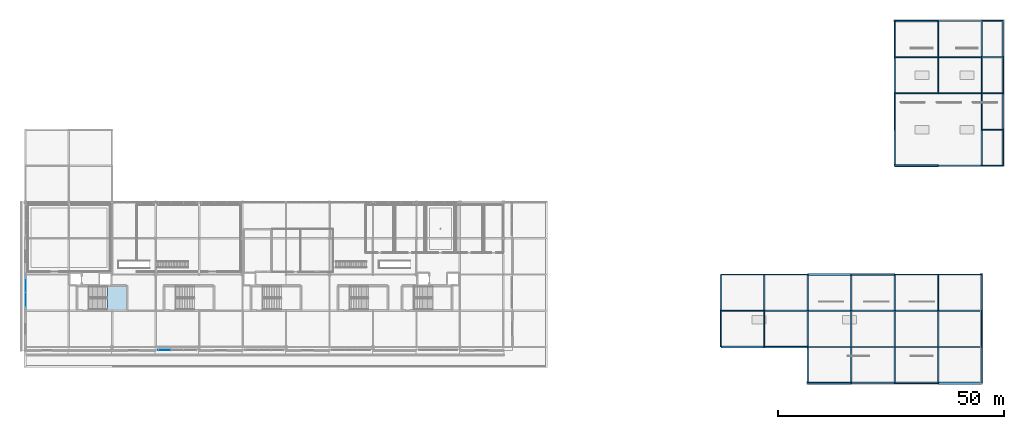
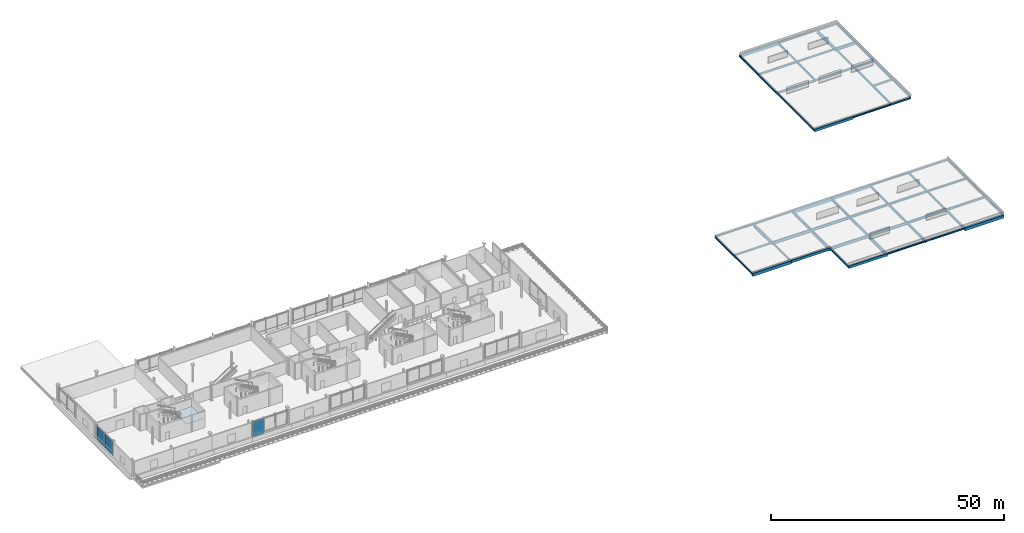
# One storey, part 20 of 36: 68 beams, 3 plates, 1 slab, 3 elements without a shape of their own.
"""IFC4 building model written with IfcOpenShell, lengths in metres."""

from ifc_helpers import new_model, si_unit, direction, frame, origin, origin_2d, place, context, subcontext, project, spatial, polyline, rectangle, i_section, outline, extrude, material, layer, layer_set, material_profile, profile_set, type_object, element, aggregate, save


model = new_model("IFC4")

# Units and contexts
model_context = context("Model", 3, precision=1e-05, world=origin(), true_north=direction((0.0, 1.0)))
body_context = subcontext(model_context, "Body", "Model", "MODEL_VIEW")
ifc_project = project(units=[si_unit("LENGTHUNIT", "METRE"), si_unit("AREAUNIT", "SQUARE_METRE"), si_unit("VOLUMEUNIT", "CUBIC_METRE"), si_unit("PLANEANGLEUNIT", "RADIAN"), si_unit("MASSUNIT", "GRAM", prefix="KILO")], contexts=[model_context])

# Site, building, storey
site_placement = place(None, origin())
site = spatial("IfcSite", under=ifc_project, at=site_placement, CompositionType="ELEMENT")
building_placement = place(site_placement, origin())
building = spatial("IfcBuilding", under=site, at=building_placement, Name="Danafjord Basin Convention Centre", CompositionType="ELEMENT")
storey_placement = place(building_placement, frame((0.0, 0.0, 20.39990234375)))
storey = spatial("IfcBuildingStorey", under=building, at=storey_placement, Name="L04", CompositionType="ELEMENT", Elevation=20.39990234375)

# Beams
ifc_material_1 = material(Name="Steel S355", Category="steel")
ifc_material_profile_1 = material_profile(ifc_material_1, i_section(OverallWidth=0.300048828125, OverallDepth=0.5, WebThickness=0.014404296875, FlangeThickness=0.028076171875, FilletRadius=0.027099609375, at=origin_2d()), Name="HEB 500")
ifc_profile_set_1 = profile_set([ifc_material_profile_1], Name="Steel S355")
beam_type_1 = type_object("IfcBeamType", Name="BEAM-BM-HEB500", PredefinedType="BEAM", material=ifc_profile_set_1)
beam_1_placement = place(storey_placement, frame((201.60009765625, 16.0, -0.914794921875), z_axis=(1.0, 0.0, 0.0), x_axis=(0.0, 1.0, 0.0)))
element("IfcBeam", 1, at=beam_1_placement, inside=storey, type_object=beam_type_1, Name="L04 girder BM-HEB500", PredefinedType="BEAM", context=body_context, shape_type="SweptSolid", body=[
    extrude(i_section(OverallWidth=0.300048828125, OverallDepth=0.5, WebThickness=0.014404296875, FlangeThickness=0.028076171875, FilletRadius=0.027099609375, at=origin_2d()), origin(), (0.0, 0.0, 1.0), 9.599853515625),
])
for number, where, z_axis, x_axis, name in (
    (2, (192.0, 16.0, -0.914794921875), (0.0, 1.0, 0.0), (-1.0, 0.0, 0.0), "L04 transverse girder BM-HEB500"),
    (3, (201.60009765625, 8.0, -0.914794921875), (0.0, 1.0, 0.0), (-1.0, 0.0, 0.0), "L04 transverse girder BM-HEB500"),
    (4, (211.199951171875, 48.0, -0.914794921875), (0.0, 1.0, 0.0), (-1.0, 0.0, 0.0), "L04 transverse girder BM-HEB500"),
):
    element("IfcBeam", number, at=place(storey_placement, frame(where, z_axis=z_axis, x_axis=x_axis)), inside=storey, type_object=beam_type_1, Name=name, PredefinedType="BEAM", context=body_context, shape_type="SweptSolid", body=[
        extrude(i_section(OverallWidth=0.300048828125, OverallDepth=0.5, WebThickness=0.014404296875, FlangeThickness=0.028076171875, FilletRadius=0.027099609375, at=origin_2d()), origin(), (0.0, 0.0, 1.0), 8.0),
    ])
ifc_material_profile_2 = material_profile(ifc_material_1, i_section(OverallWidth=0.300048828125, OverallDepth=0.550048828125, WebThickness=0.014892578125, FlangeThickness=0.029052734375, FilletRadius=0.027099609375, at=origin_2d()), Name="HEB 550")
ifc_profile_set_2 = profile_set([ifc_material_profile_2], Name="Steel S355")
beam_type_2 = type_object("IfcBeamType", Name="BEAM-BM-HEB550", PredefinedType="BEAM", material=ifc_profile_set_2)
beam_2_placement = place(storey_placement, frame((192.0, 16.0, -0.93994140625), z_axis=(1.0, 0.0, 0.0), x_axis=(0.0, 1.0, 0.0)))
element("IfcBeam", 5, at=beam_2_placement, inside=storey, type_object=beam_type_2, Name="L04 girder BM-HEB550", PredefinedType="BEAM", context=body_context, shape_type="SweptSolid", body=[
    extrude(i_section(OverallWidth=0.300048828125, OverallDepth=0.550048828125, WebThickness=0.014892578125, FlangeThickness=0.029052734375, FilletRadius=0.027099609375, at=origin_2d()), origin(), (0.0, 0.0, 1.0), 9.60009765625),
])
beam_3_placement = place(storey_placement, frame((201.60009765625, 8.0, -0.93994140625), z_axis=(1.0, 0.0, 0.0), x_axis=(0.0, 1.0, 0.0)))
element("IfcBeam", 6, at=beam_3_placement, inside=storey, type_object=beam_type_2, Name="L04 girder BM-HEB550", PredefinedType="BEAM", context=body_context, shape_type="SweptSolid", body=[
    extrude(i_section(OverallWidth=0.300048828125, OverallDepth=0.550048828125, WebThickness=0.014892578125, FlangeThickness=0.029052734375, FilletRadius=0.027099609375, at=origin_2d()), origin(), (0.0, 0.0, 1.0), 9.599853515625),
])
ifc_material_profile_3 = material_profile(ifc_material_1, i_section(OverallWidth=0.300048828125, OverallDepth=0.60009765625, WebThickness=0.015380859375, FlangeThickness=0.030029296875, FilletRadius=0.027099609375, at=origin_2d()), Name="HEB 600")
ifc_profile_set_3 = profile_set([ifc_material_profile_3], Name="Steel S355")
beam_type_3 = type_object("IfcBeamType", Name="BEAM-BM-HEB600", PredefinedType="BEAM", material=ifc_profile_set_3)
for number, where, z_axis, x_axis, name in (
    (7, (182.39990234375, 16.0, -0.96484375), (1.0, 0.0, 0.0), (0.0, 1.0, 0.0), "L04 girder BM-HEB600"),
    (8, (192.0, 8.0, -0.96484375), (1.0, 0.0, 0.0), (0.0, 1.0, 0.0), "L04 girder BM-HEB600"),
):
    element("IfcBeam", number, at=place(storey_placement, frame(where, z_axis=z_axis, x_axis=x_axis)), inside=storey, type_object=beam_type_3, Name=name, PredefinedType="BEAM", context=body_context, shape_type="SweptSolid", body=[
        extrude(i_section(OverallWidth=0.300048828125, OverallDepth=0.60009765625, WebThickness=0.015380859375, FlangeThickness=0.030029296875, FilletRadius=0.027099609375, at=origin_2d()), origin(), (0.0, 0.0, 1.0), 9.60009765625),
    ])
for number, where, z_axis, x_axis, name in (
    (9, (182.39990234375, 16.0, -0.96484375), (0.0, 1.0, 0.0), (-1.0, 0.0, 0.0), "L04 transverse girder BM-HEB600"),
    (10, (192.0, 8.0, -0.96484375), (0.0, 1.0, 0.0), (-1.0, 0.0, 0.0), "L04 transverse girder BM-HEB600"),
    (11, (201.60009765625, 0.0, -0.96484375), (0.0, 1.0, 0.0), (-1.0, 0.0, 0.0), "L04 transverse girder BM-HEB600"),
):
    element("IfcBeam", number, at=place(storey_placement, frame(where, z_axis=z_axis, x_axis=x_axis)), inside=storey, type_object=beam_type_3, Name=name, PredefinedType="BEAM", context=body_context, shape_type="SweptSolid", body=[
        extrude(i_section(OverallWidth=0.300048828125, OverallDepth=0.60009765625, WebThickness=0.015380859375, FlangeThickness=0.030029296875, FilletRadius=0.027099609375, at=origin_2d()), origin(), (0.0, 0.0, 1.0), 8.0),
    ])
ifc_material_profile_4 = material_profile(ifc_material_1, i_section(OverallWidth=0.300048828125, OverallDepth=0.699951171875, WebThickness=0.01708984375, FlangeThickness=0.031982421875, FilletRadius=0.027099609375, at=origin_2d()), Name="HEB 700")
ifc_profile_set_4 = profile_set([ifc_material_profile_4], Name="Steel S355")
beam_type_4 = type_object("IfcBeamType", Name="BEAM-BM-HEB700", PredefinedType="BEAM", material=ifc_profile_set_4)
beam_4_placement = place(storey_placement, frame((172.800048828125, 16.0, -1.014892578125), z_axis=(1.0, 0.0, 0.0), x_axis=(0.0, 1.0, 0.0)))
element("IfcBeam", 12, at=beam_4_placement, inside=storey, type_object=beam_type_4, Name="L04 girder BM-HEB700", PredefinedType="BEAM", context=body_context, shape_type="SweptSolid", body=[
    extrude(i_section(OverallWidth=0.300048828125, OverallDepth=0.699951171875, WebThickness=0.01708984375, FlangeThickness=0.031982421875, FilletRadius=0.027099609375, at=origin_2d()), origin(), (0.0, 0.0, 1.0), 9.599853515625),
])
beam_5_placement = place(storey_placement, frame((182.39990234375, 8.0, -1.014892578125), z_axis=(1.0, 0.0, 0.0), x_axis=(0.0, 1.0, 0.0)))
element("IfcBeam", 13, at=beam_5_placement, inside=storey, type_object=beam_type_4, Name="L04 girder BM-HEB700", PredefinedType="BEAM", context=body_context, shape_type="SweptSolid", body=[
    extrude(i_section(OverallWidth=0.300048828125, OverallDepth=0.699951171875, WebThickness=0.01708984375, FlangeThickness=0.031982421875, FilletRadius=0.027099609375, at=origin_2d()), origin(), (0.0, 0.0, 1.0), 9.60009765625),
])
for number, where, z_axis, x_axis, name in (
    (14, (172.800048828125, 16.0, -1.014892578125), (0.0, 1.0, 0.0), (-1.0, 0.0, 0.0), "L04 transverse girder BM-HEB700"),
    (15, (182.39990234375, 8.0, -1.014892578125), (0.0, 1.0, 0.0), (-1.0, 0.0, 0.0), "L04 transverse girder BM-HEB700"),
    (16, (192.0, 0.0, -1.014892578125), (0.0, 1.0, 0.0), (-1.0, 0.0, 0.0), "L04 transverse girder BM-HEB700"),
):
    element("IfcBeam", number, at=place(storey_placement, frame(where, z_axis=z_axis, x_axis=x_axis)), inside=storey, type_object=beam_type_4, Name=name, PredefinedType="BEAM", context=body_context, shape_type="SweptSolid", body=[
        extrude(i_section(OverallWidth=0.300048828125, OverallDepth=0.699951171875, WebThickness=0.01708984375, FlangeThickness=0.031982421875, FilletRadius=0.027099609375, at=origin_2d()), origin(), (0.0, 0.0, 1.0), 8.0),
    ])
ifc_material_profile_5 = material_profile(ifc_material_1, i_section(OverallWidth=0.300048828125, OverallDepth=0.800048828125, WebThickness=0.017578125, FlangeThickness=0.032958984375, FilletRadius=0.030029296875, at=origin_2d()), Name="HEB 800")
ifc_profile_set_5 = profile_set([ifc_material_profile_5], Name="Steel S355")
beam_type_5 = type_object("IfcBeamType", Name="BEAM-BM-HEB800", PredefinedType="BEAM", material=ifc_profile_set_5)
beam_6_placement = place(storey_placement, frame((163.199951171875, 16.0, -1.06494140625), z_axis=(1.0, 0.0, 0.0), x_axis=(0.0, 1.0, 0.0)))
element("IfcBeam", 17, at=beam_6_placement, inside=storey, type_object=beam_type_5, Name="L04 girder BM-HEB800", PredefinedType="BEAM", context=body_context, shape_type="SweptSolid", body=[
    extrude(i_section(OverallWidth=0.300048828125, OverallDepth=0.800048828125, WebThickness=0.017578125, FlangeThickness=0.032958984375, FilletRadius=0.030029296875, at=origin_2d()), origin(), (0.0, 0.0, 1.0), 9.60009765625),
])
beam_7_placement = place(storey_placement, frame((172.800048828125, 8.0, -1.06494140625), z_axis=(1.0, 0.0, 0.0), x_axis=(0.0, 1.0, 0.0)))
element("IfcBeam", 18, at=beam_7_placement, inside=storey, type_object=beam_type_5, Name="L04 girder BM-HEB800", PredefinedType="BEAM", context=body_context, shape_type="SweptSolid", body=[
    extrude(i_section(OverallWidth=0.300048828125, OverallDepth=0.800048828125, WebThickness=0.017578125, FlangeThickness=0.032958984375, FilletRadius=0.030029296875, at=origin_2d()), origin(), (0.0, 0.0, 1.0), 9.599853515625),
])
beam_8_placement = place(storey_placement, frame((211.199951171875, 72.0, -1.06494140625), z_axis=(1.0, 0.0, 0.0), x_axis=(0.0, 1.0, 0.0)))
element("IfcBeam", 19, at=beam_8_placement, inside=storey, type_object=beam_type_5, Name="L04 girder BM-HEB800", PredefinedType="BEAM", context=body_context, shape_type="SweptSolid", body=[
    extrude(i_section(OverallWidth=0.300048828125, OverallDepth=0.800048828125, WebThickness=0.017578125, FlangeThickness=0.032958984375, FilletRadius=0.030029296875, at=origin_2d()), origin(), (0.0, 0.0, 1.0), 4.800048828125),
])
ifc_material_profile_6 = material_profile(ifc_material_1, i_section(OverallWidth=0.300048828125, OverallDepth=0.89990234375, WebThickness=0.0185546875, FlangeThickness=0.034912109375, FilletRadius=0.030029296875, at=origin_2d()), Name="HEB 900")
ifc_profile_set_6 = profile_set([ifc_material_profile_6], Name="Steel S355")
beam_type_6 = type_object("IfcBeamType", Name="BEAM-BM-HEB900", PredefinedType="BEAM", material=ifc_profile_set_6)
for number, where, z_axis, x_axis, name in (
    (20, (163.199951171875, 16.0, -1.114990234375), (0.0, 1.0, 0.0), (-1.0, 0.0, 0.0), "L04 transverse girder BM-HEB900"),
    (21, (172.800048828125, 8.0, -1.114990234375), (0.0, 1.0, 0.0), (-1.0, 0.0, 0.0), "L04 transverse girder BM-HEB900"),
    (22, (182.39990234375, 0.0, -1.114990234375), (0.0, 1.0, 0.0), (-1.0, 0.0, 0.0), "L04 transverse girder BM-HEB900"),
    (23, (211.199951171875, 72.0, -1.114990234375), (0.0, 1.0, 0.0), (-1.0, 0.0, 0.0), "L04 transverse girder BM-HEB900"),
):
    element("IfcBeam", number, at=place(storey_placement, frame(where, z_axis=z_axis, x_axis=x_axis)), inside=storey, type_object=beam_type_6, Name=name, PredefinedType="BEAM", context=body_context, shape_type="SweptSolid", body=[
        extrude(i_section(OverallWidth=0.300048828125, OverallDepth=0.89990234375, WebThickness=0.0185546875, FlangeThickness=0.034912109375, FilletRadius=0.030029296875, at=origin_2d()), origin(), (0.0, 0.0, 1.0), 8.0),
    ])
ifc_material_profile_7 = material_profile(ifc_material_1, i_section(OverallWidth=0.199951171875, OverallDepth=0.5, WebThickness=0.01025390625, FlangeThickness=0.01611328125, FilletRadius=0.02099609375, at=origin_2d()), Name="IPE 500")
ifc_profile_set_7 = profile_set([ifc_material_profile_7], Name="Steel S355")
beam_type_7 = type_object("IfcBeamType", Name="BEAM-BM-IPE500", PredefinedType="BEAM", material=ifc_profile_set_7)
for number, where, z_axis, x_axis, name in (
    (24, (153.60009765625, 16.0, -0.914794921875), (1.0, 0.0, 0.0), (0.0, 1.0, 0.0), "L04 girder BM-IPE500"),
    (25, (201.60009765625, 72.0, -0.914794921875), (1.0, 0.0, 0.0), (0.0, 1.0, 0.0), "L04 girder BM-IPE500"),
):
    element("IfcBeam", number, at=place(storey_placement, frame(where, z_axis=z_axis, x_axis=x_axis)), inside=storey, type_object=beam_type_7, Name=name, PredefinedType="BEAM", context=body_context, shape_type="SweptSolid", body=[
        extrude(i_section(OverallWidth=0.199951171875, OverallDepth=0.5, WebThickness=0.01025390625, FlangeThickness=0.01611328125, FilletRadius=0.02099609375, at=origin_2d()), origin(), (0.0, 0.0, 1.0), 9.599853515625),
    ])
beam_9_placement = place(storey_placement, frame((211.199951171875, 64.0, -0.914794921875), z_axis=(1.0, 0.0, 0.0), x_axis=(0.0, 1.0, 0.0)))
element("IfcBeam", 26, at=beam_9_placement, inside=storey, type_object=beam_type_7, Name="L04 girder BM-IPE500", PredefinedType="BEAM", context=body_context, shape_type="SweptSolid", body=[
    extrude(i_section(OverallWidth=0.199951171875, OverallDepth=0.5, WebThickness=0.01025390625, FlangeThickness=0.01611328125, FilletRadius=0.02099609375, at=origin_2d()), origin(), (0.0, 0.0, 1.0), 4.800048828125),
])
ifc_material_profile_8 = material_profile(ifc_material_1, i_section(OverallWidth=0.2099609375, OverallDepth=0.550048828125, WebThickness=0.010986328125, FlangeThickness=0.01708984375, FilletRadius=0.02392578125, at=origin_2d()), Name="IPE 550")
ifc_profile_set_8 = profile_set([ifc_material_profile_8], Name="Steel S355")
beam_type_8 = type_object("IfcBeamType", Name="BEAM-BM-IPE550", PredefinedType="BEAM", material=ifc_profile_set_8)
beam_10_placement = place(storey_placement, frame((192.0, 72.0, -0.93994140625), z_axis=(1.0, 0.0, 0.0), x_axis=(0.0, 1.0, 0.0)))
element("IfcBeam", 27, at=beam_10_placement, inside=storey, type_object=beam_type_8, Name="L04 girder BM-IPE550", PredefinedType="BEAM", context=body_context, shape_type="SweptSolid", body=[
    extrude(i_section(OverallWidth=0.2099609375, OverallDepth=0.550048828125, WebThickness=0.010986328125, FlangeThickness=0.01708984375, FilletRadius=0.02392578125, at=origin_2d()), origin(), (0.0, 0.0, 1.0), 9.60009765625),
])
beam_11_placement = place(storey_placement, frame((201.60009765625, 64.0, -0.93994140625), z_axis=(1.0, 0.0, 0.0), x_axis=(0.0, 1.0, 0.0)))
element("IfcBeam", 28, at=beam_11_placement, inside=storey, type_object=beam_type_8, Name="L04 girder BM-IPE550", PredefinedType="BEAM", context=body_context, shape_type="SweptSolid", body=[
    extrude(i_section(OverallWidth=0.2099609375, OverallDepth=0.550048828125, WebThickness=0.010986328125, FlangeThickness=0.01708984375, FilletRadius=0.02392578125, at=origin_2d()), origin(), (0.0, 0.0, 1.0), 9.599853515625),
])
beam_12_placement = place(storey_placement, frame((211.199951171875, 56.0, -0.93994140625), z_axis=(1.0, 0.0, 0.0), x_axis=(0.0, 1.0, 0.0)))
element("IfcBeam", 29, at=beam_12_placement, inside=storey, type_object=beam_type_8, Name="L04 girder BM-IPE550", PredefinedType="BEAM", context=body_context, shape_type="SweptSolid", body=[
    extrude(i_section(OverallWidth=0.2099609375, OverallDepth=0.550048828125, WebThickness=0.010986328125, FlangeThickness=0.01708984375, FilletRadius=0.02392578125, at=origin_2d()), origin(), (0.0, 0.0, 1.0), 4.800048828125),
])
for number, where, z_axis, x_axis, name in (
    (30, (163.199951171875, 8.0, -0.93994140625), (0.0, 1.0, 0.0), (-1.0, 0.0, 0.0), "L04 transverse girder BM-IPE550"),
    (31, (201.60009765625, 72.0, -0.93994140625), (0.0, 1.0, 0.0), (-1.0, 0.0, 0.0), "L04 transverse girder BM-IPE550"),
    (32, (211.199951171875, 64.0, -0.93994140625), (0.0, 1.0, 0.0), (-1.0, 0.0, 0.0), "L04 transverse girder BM-IPE550"),
):
    element("IfcBeam", number, at=place(storey_placement, frame(where, z_axis=z_axis, x_axis=x_axis)), inside=storey, type_object=beam_type_8, Name=name, PredefinedType="BEAM", context=body_context, shape_type="SweptSolid", body=[
        extrude(i_section(OverallWidth=0.2099609375, OverallDepth=0.550048828125, WebThickness=0.010986328125, FlangeThickness=0.01708984375, FilletRadius=0.02392578125, at=origin_2d()), origin(), (0.0, 0.0, 1.0), 8.0),
    ])
ifc_material_profile_9 = material_profile(ifc_material_1, i_section(OverallWidth=0.219970703125, OverallDepth=0.60009765625, WebThickness=0.011962890625, FlangeThickness=0.01904296875, FilletRadius=0.02392578125, at=origin_2d()), Name="IPE 600")
ifc_profile_set_9 = profile_set([ifc_material_profile_9], Name="Steel S355")
beam_type_9 = type_object("IfcBeamType", Name="BEAM-BM-IPE600", PredefinedType="BEAM", material=ifc_profile_set_9)
beam_13_placement = place(storey_placement, frame((192.0, 64.0, -0.96484375), z_axis=(1.0, 0.0, 0.0), x_axis=(0.0, 1.0, 0.0)))
element("IfcBeam", 33, at=beam_13_placement, inside=storey, type_object=beam_type_9, Name="L04 girder BM-IPE600", PredefinedType="BEAM", context=body_context, shape_type="SweptSolid", body=[
    extrude(i_section(OverallWidth=0.219970703125, OverallDepth=0.60009765625, WebThickness=0.011962890625, FlangeThickness=0.01904296875, FilletRadius=0.02392578125, at=origin_2d()), origin(), (0.0, 0.0, 1.0), 9.60009765625),
])
for number, where, z_axis, x_axis, name in (
    (34, (201.60009765625, 16.0, -0.96484375), (0.0, 1.0, 0.0), (-1.0, 0.0, 0.0), "L04 transverse girder BM-IPE600"),
    (35, (201.60009765625, 64.0, -0.96484375), (0.0, 1.0, 0.0), (-1.0, 0.0, 0.0), "L04 transverse girder BM-IPE600"),
    (36, (211.199951171875, 56.0, -0.96484375), (0.0, 1.0, 0.0), (-1.0, 0.0, 0.0), "L04 transverse girder BM-IPE600"),
):
    element("IfcBeam", number, at=place(storey_placement, frame(where, z_axis=z_axis, x_axis=x_axis)), inside=storey, type_object=beam_type_9, Name=name, PredefinedType="BEAM", context=body_context, shape_type="SweptSolid", body=[
        extrude(i_section(OverallWidth=0.219970703125, OverallDepth=0.60009765625, WebThickness=0.011962890625, FlangeThickness=0.01904296875, FilletRadius=0.02392578125, at=origin_2d()), origin(), (0.0, 0.0, 1.0), 8.0),
    ])
ifc_material_profile_10 = material_profile(ifc_material_1, i_section(OverallWidth=0.300048828125, OverallDepth=0.39990234375, WebThickness=0.013427734375, FlangeThickness=0.02392578125, FilletRadius=0.027099609375, at=origin_2d()), Name="HEB 400")
ifc_profile_set_10 = profile_set([ifc_material_profile_10], Name="Steel S355")
beam_type_10 = type_object("IfcBeamType", Name="BEAM-SP-HEB400", PredefinedType="SPANDREL", material=ifc_profile_set_10)
beam_14_placement = place(storey_placement, frame((153.60009765625, 24.0, -0.864990234375), z_axis=(1.0, 0.0, 0.0), x_axis=(0.0, 1.0, 0.0)))
element("IfcBeam", 37, at=beam_14_placement, inside=storey, type_object=beam_type_10, Name="L04 girder SP-HEB400", PredefinedType="SPANDREL", context=body_context, shape_type="SweptSolid", body=[
    extrude(i_section(OverallWidth=0.300048828125, OverallDepth=0.39990234375, WebThickness=0.013427734375, FlangeThickness=0.02392578125, FilletRadius=0.027099609375, at=origin_2d()), origin(), (0.0, 0.0, 1.0), 9.599853515625),
])
for number, where, z_axis, x_axis, name in (
    (38, (182.39990234375, 0.0, -0.864990234375), (1.0, 0.0, 0.0), (0.0, 1.0, 0.0), "L04 girder SP-HEB400"),
    (39, (192.0, 24.0, -0.864990234375), (1.0, 0.0, 0.0), (0.0, 1.0, 0.0), "L04 girder SP-HEB400"),
):
    element("IfcBeam", number, at=place(storey_placement, frame(where, z_axis=z_axis, x_axis=x_axis)), inside=storey, type_object=beam_type_10, Name=name, PredefinedType="SPANDREL", context=body_context, shape_type="SweptSolid", body=[
        extrude(i_section(OverallWidth=0.300048828125, OverallDepth=0.39990234375, WebThickness=0.013427734375, FlangeThickness=0.02392578125, FilletRadius=0.027099609375, at=origin_2d()), origin(), (0.0, 0.0, 1.0), 9.60009765625),
    ])
for number, where, z_axis, x_axis, name in (
    (40, (201.60009765625, 48.0, -0.864990234375), (1.0, 0.0, 0.0), (0.0, 1.0, 0.0), "L04 girder SP-HEB400"),
    (41, (201.60009765625, 80.0, -0.864990234375), (1.0, 0.0, 0.0), (0.0, 1.0, 0.0), "L04 girder SP-HEB400"),
):
    element("IfcBeam", number, at=place(storey_placement, frame(where, z_axis=z_axis, x_axis=x_axis)), inside=storey, type_object=beam_type_10, Name=name, PredefinedType="SPANDREL", context=body_context, shape_type="SweptSolid", body=[
        extrude(i_section(OverallWidth=0.300048828125, OverallDepth=0.39990234375, WebThickness=0.013427734375, FlangeThickness=0.02392578125, FilletRadius=0.027099609375, at=origin_2d()), origin(), (0.0, 0.0, 1.0), 9.599853515625),
    ])
for number, where, z_axis, x_axis, name in (
    (42, (153.60009765625, 16.0, -0.864990234375), (0.0, 1.0, 0.0), (-1.0, 0.0, 0.0), "L04 transverse girder SP-HEB400"),
    (43, (172.800048828125, 0.0, -0.864990234375), (0.0, 1.0, 0.0), (-1.0, 0.0, 0.0), "L04 transverse girder SP-HEB400"),
    (44, (192.0, 48.0, -0.864990234375), (0.0, 1.0, 0.0), (-1.0, 0.0, 0.0), "L04 transverse girder SP-HEB400"),
    (45, (192.0, 64.0, -0.864990234375), (0.0, 1.0, 0.0), (-1.0, 0.0, 0.0), "L04 transverse girder SP-HEB400"),
    (46, (211.199951171875, 0.0, -0.864990234375), (0.0, 1.0, 0.0), (-1.0, 0.0, 0.0), "L04 transverse girder SP-HEB400"),
    (47, (211.199951171875, 16.0, -0.864990234375), (0.0, 1.0, 0.0), (-1.0, 0.0, 0.0), "L04 transverse girder SP-HEB400"),
    (48, (216.0, 56.0, -0.864990234375), (0.0, 1.0, 0.0), (-1.0, 0.0, 0.0), "L04 transverse girder SP-HEB400"),
    (49, (216.0, 72.0, -0.864990234375), (0.0, 1.0, 0.0), (-1.0, 0.0, 0.0), "L04 transverse girder SP-HEB400"),
):
    element("IfcBeam", number, at=place(storey_placement, frame(where, z_axis=z_axis, x_axis=x_axis)), inside=storey, type_object=beam_type_10, Name=name, PredefinedType="SPANDREL", context=body_context, shape_type="SweptSolid", body=[
        extrude(i_section(OverallWidth=0.300048828125, OverallDepth=0.39990234375, WebThickness=0.013427734375, FlangeThickness=0.02392578125, FilletRadius=0.027099609375, at=origin_2d()), origin(), (0.0, 0.0, 1.0), 8.0),
    ])
ifc_material_profile_11 = material_profile(ifc_material_1, i_section(OverallWidth=0.18994140625, OverallDepth=0.449951171875, WebThickness=0.009521484375, FlangeThickness=0.0146484375, FilletRadius=0.02099609375, at=origin_2d()), Name="IPE 450")
ifc_profile_set_11 = profile_set([ifc_material_profile_11], Name="Steel S355")
beam_type_11 = type_object("IfcBeamType", Name="BEAM-SP-IPE450", PredefinedType="SPANDREL", material=ifc_profile_set_11)
for number, where, z_axis, x_axis, name in (
    (50, (163.199951171875, 24.0, -0.889892578125), (1.0, 0.0, 0.0), (0.0, 1.0, 0.0), "L04 girder SP-IPE450"),
    (51, (192.0, 0.0, -0.889892578125), (1.0, 0.0, 0.0), (0.0, 1.0, 0.0), "L04 girder SP-IPE450"),
):
    element("IfcBeam", number, at=place(storey_placement, frame(where, z_axis=z_axis, x_axis=x_axis)), inside=storey, type_object=beam_type_11, Name=name, PredefinedType="SPANDREL", context=body_context, shape_type="SweptSolid", body=[
        extrude(i_section(OverallWidth=0.18994140625, OverallDepth=0.449951171875, WebThickness=0.009521484375, FlangeThickness=0.0146484375, FilletRadius=0.02099609375, at=origin_2d()), origin(), (0.0, 0.0, 1.0), 9.60009765625),
    ])
beam_15_placement = place(storey_placement, frame((201.60009765625, 24.0, -0.889892578125), z_axis=(1.0, 0.0, 0.0), x_axis=(0.0, 1.0, 0.0)))
element("IfcBeam", 52, at=beam_15_placement, inside=storey, type_object=beam_type_11, Name="L04 girder SP-IPE450", PredefinedType="SPANDREL", context=body_context, shape_type="SweptSolid", body=[
    extrude(i_section(OverallWidth=0.18994140625, OverallDepth=0.449951171875, WebThickness=0.009521484375, FlangeThickness=0.0146484375, FilletRadius=0.02099609375, at=origin_2d()), origin(), (0.0, 0.0, 1.0), 9.599853515625),
])
for number, where, z_axis, x_axis, name in (
    (53, (211.199951171875, 48.0, -0.889892578125), (1.0, 0.0, 0.0), (0.0, 1.0, 0.0), "L04 girder SP-IPE450"),
    (54, (211.199951171875, 80.0, -0.889892578125), (1.0, 0.0, 0.0), (0.0, 1.0, 0.0), "L04 girder SP-IPE450"),
):
    element("IfcBeam", number, at=place(storey_placement, frame(where, z_axis=z_axis, x_axis=x_axis)), inside=storey, type_object=beam_type_11, Name=name, PredefinedType="SPANDREL", context=body_context, shape_type="SweptSolid", body=[
        extrude(i_section(OverallWidth=0.18994140625, OverallDepth=0.449951171875, WebThickness=0.009521484375, FlangeThickness=0.0146484375, FilletRadius=0.02099609375, at=origin_2d()), origin(), (0.0, 0.0, 1.0), 4.800048828125),
    ])
for number, where, z_axis, x_axis, name in (
    (55, (153.60009765625, 8.0, -0.889892578125), (0.0, 1.0, 0.0), (-1.0, 0.0, 0.0), "L04 transverse girder SP-IPE450"),
    (56, (192.0, 56.0, -0.889892578125), (0.0, 1.0, 0.0), (-1.0, 0.0, 0.0), "L04 transverse girder SP-IPE450"),
    (57, (192.0, 72.0, -0.889892578125), (0.0, 1.0, 0.0), (-1.0, 0.0, 0.0), "L04 transverse girder SP-IPE450"),
    (58, (211.199951171875, 8.0, -0.889892578125), (0.0, 1.0, 0.0), (-1.0, 0.0, 0.0), "L04 transverse girder SP-IPE450"),
    (59, (216.0, 48.0, -0.889892578125), (0.0, 1.0, 0.0), (-1.0, 0.0, 0.0), "L04 transverse girder SP-IPE450"),
    (60, (216.0, 64.0, -0.889892578125), (0.0, 1.0, 0.0), (-1.0, 0.0, 0.0), "L04 transverse girder SP-IPE450"),
):
    element("IfcBeam", number, at=place(storey_placement, frame(where, z_axis=z_axis, x_axis=x_axis)), inside=storey, type_object=beam_type_11, Name=name, PredefinedType="SPANDREL", context=body_context, shape_type="SweptSolid", body=[
        extrude(i_section(OverallWidth=0.18994140625, OverallDepth=0.449951171875, WebThickness=0.009521484375, FlangeThickness=0.0146484375, FilletRadius=0.02099609375, at=origin_2d()), origin(), (0.0, 0.0, 1.0), 8.0),
    ])
ifc_material_2 = material(Name="Precast concrete C45/55", Category="concrete")
ifc_material_profile_12 = material_profile(ifc_material_2, rectangle(XDim=0.39990234375, YDim=0.64990234375, at=origin_2d()), Name="PCB 400x650")
ifc_profile_set_12 = profile_set([ifc_material_profile_12], Name="Precast concrete C45/55")
beam_type_12 = type_object("IfcBeamType", Name="BEAM-SP-PCB650", PredefinedType="SPANDREL", material=ifc_profile_set_12)
beam_16_placement = place(storey_placement, frame((163.199951171875, 8.0, -0.989990234375), z_axis=(1.0, 0.0, 0.0), x_axis=(0.0, 1.0, 0.0)))
element("IfcBeam", 61, at=beam_16_placement, inside=storey, type_object=beam_type_12, Name="L04 girder SP-PCB650", PredefinedType="SPANDREL", context=body_context, shape_type="SweptSolid", body=[
    extrude(rectangle(XDim=0.39990234375, YDim=0.64990234375, at=origin_2d()), origin(), (0.0, 0.0, 1.0), 9.60009765625),
])
beam_17_placement = place(storey_placement, frame((172.800048828125, 0.0, -0.989990234375), z_axis=(1.0, 0.0, 0.0), x_axis=(0.0, 1.0, 0.0)))
element("IfcBeam", 62, at=beam_17_placement, inside=storey, type_object=beam_type_12, Name="L04 girder SP-PCB650", PredefinedType="SPANDREL", context=body_context, shape_type="SweptSolid", body=[
    extrude(rectangle(XDim=0.39990234375, YDim=0.64990234375, at=origin_2d()), origin(), (0.0, 0.0, 1.0), 9.599853515625),
])
for number, where, z_axis, x_axis, name in (
    (63, (182.39990234375, 24.0, -0.989990234375), (1.0, 0.0, 0.0), (0.0, 1.0, 0.0), "L04 girder SP-PCB650"),
    (64, (192.0, 48.0, -0.989990234375), (1.0, 0.0, 0.0), (0.0, 1.0, 0.0), "L04 girder SP-PCB650"),
    (65, (192.0, 80.0, -0.989990234375), (1.0, 0.0, 0.0), (0.0, 1.0, 0.0), "L04 girder SP-PCB650"),
):
    element("IfcBeam", number, at=place(storey_placement, frame(where, z_axis=z_axis, x_axis=x_axis)), inside=storey, type_object=beam_type_12, Name=name, PredefinedType="SPANDREL", context=body_context, shape_type="SweptSolid", body=[
        extrude(rectangle(XDim=0.39990234375, YDim=0.64990234375, at=origin_2d()), origin(), (0.0, 0.0, 1.0), 9.60009765625),
    ])
ifc_material_profile_13 = material_profile(ifc_material_2, rectangle(XDim=0.5, YDim=0.800048828125, at=origin_2d()), Name="PCB 500x800")
ifc_profile_set_13 = profile_set([ifc_material_profile_13], Name="Precast concrete C45/55")
beam_type_13 = type_object("IfcBeamType", Name="BEAM-SP-PCB800", PredefinedType="SPANDREL", material=ifc_profile_set_13)
for number, where, z_axis, x_axis, name in (
    (66, (153.60009765625, 8.0, -1.06494140625), (1.0, 0.0, 0.0), (0.0, 1.0, 0.0), "L04 girder SP-PCB800"),
    (67, (172.800048828125, 24.0, -1.06494140625), (1.0, 0.0, 0.0), (0.0, 1.0, 0.0), "L04 girder SP-PCB800"),
    (68, (201.60009765625, 0.0, -1.06494140625), (1.0, 0.0, 0.0), (0.0, 1.0, 0.0), "L04 girder SP-PCB800"),
):
    element("IfcBeam", number, at=place(storey_placement, frame(where, z_axis=z_axis, x_axis=x_axis)), inside=storey, type_object=beam_type_13, Name=name, PredefinedType="SPANDREL", context=body_context, shape_type="SweptSolid", body=[
        extrude(rectangle(XDim=0.5, YDim=0.800048828125, at=origin_2d()), origin(), (0.0, 0.0, 1.0), 9.599853515625),
    ])

# Curtain wall, plate
ifc_material_3 = material(Name="Anodised aluminium and triple glazing", Category="aluminium")
curtain_wall_type = type_object("IfcCurtainWallType", Name="CW-CW-TERR", PredefinedType="NOTDEFINED", material=ifc_material_3)
curtain_wall_1_placement = place(storey_placement, origin())
curtain_wall_1 = element("IfcCurtainWall", 69, at=curtain_wall_1_placement, inside=storey, type_object=curtain_wall_type, Name="L04 CW-TERR unitised curtain wall bay 33", PredefinedType="NOTDEFINED")
ifc_material_4 = material(Name="Triple low-E insulated glazing", Category="glass")
ifc_layer_1 = layer(ifc_material_4, 0.048095703125)
ifc_layer_set_1 = layer_set([ifc_layer_1], Name="Triple low-E insulated glazing")
plate_type = type_object("IfcPlateType", Name="PLT-GP-48", PredefinedType="CURTAIN_PANEL", material=ifc_layer_set_1)
plate_1_placement = place(storey_placement, frame((30.800048828125, 7.320068359375, 0.088134765625), z_axis=(0.0, 0.0, 1.0), x_axis=(1.0, 0.0, 0.0)))
plate_1 = element("IfcPlate", 70, at=plate_1_placement, type_object=plate_type, Name="CW-L04-033 vision glazing unit 1", PredefinedType="CURTAIN_PANEL", context=body_context, shape_type="SweptSolid", body=[
    extrude(rectangle(XDim=2.743896484375, YDim=0.048095703125, at=origin_2d()), origin(), (0.0, 0.0, 1.0), 4.083984375),
])
aggregate(curtain_wall_1, [plate_1])

# Curtain wall, plates
curtain_wall_2_placement = place(storey_placement, origin())
curtain_wall_2 = element("IfcCurtainWall", 71, at=curtain_wall_2_placement, inside=storey, type_object=curtain_wall_type, Name="L04 CW-TERR unitised curtain wall bay 95", PredefinedType="NOTDEFINED")
plate_2_placement = place(storey_placement, frame((0.1201171875, 21.699951171875, 0.088134765625), z_axis=(0.0, 0.0, 1.0), x_axis=(0.0, -1.0, 0.0)))
plate_2 = element("IfcPlate", 72, at=plate_2_placement, type_object=plate_type, Name="CW-L04-095 vision glazing unit 1", PredefinedType="CURTAIN_PANEL", context=body_context, shape_type="SweptSolid", body=[
    extrude(rectangle(XDim=3.343994140625, YDim=0.048095703125, at=origin_2d()), origin(), (0.0, 0.0, 1.0), 3.6640625),
])
plate_3_placement = place(storey_placement, frame((0.1201171875, 18.300048828125, 0.088134765625), z_axis=(0.0, 0.0, 1.0), x_axis=(0.0, -1.0, 0.0)))
plate_3 = element("IfcPlate", 73, at=plate_3_placement, type_object=plate_type, Name="CW-L04-095 vision glazing unit 2", PredefinedType="CURTAIN_PANEL", context=body_context, shape_type="SweptSolid", body=[
    extrude(rectangle(XDim=3.343994140625, YDim=0.048095703125, at=origin_2d()), origin(), (0.0, 0.0, 1.0), 3.6640625),
])
aggregate(curtain_wall_2, [plate_2, plate_3])

# Stair, slab
ifc_material_5 = material(Name="Concrete C40/50", Category="concrete")
stair_type = type_object("IfcStairType", Name="STAIR-STR-C01", PredefinedType="TWO_STRAIGHT_RUN_STAIR", material=ifc_material_5)
stair_placement = place(storey_placement, origin())
stair = element("IfcStair", 74, at=stair_placement, inside=storey, type_object=stair_type, Name="L04 West Harbour Core Stair 1", PredefinedType="HALF_TURN_STAIR")
ifc_layer_2 = layer(ifc_material_5, 0.199951171875)
ifc_layer_set_2 = layer_set([ifc_layer_2], Name="Concrete C40/50")
slab_type = type_object("IfcSlabType", Name="SLAB-LAND-200", PredefinedType="LANDING", material=ifc_layer_set_2)
slab_placement = place(storey_placement, frame((0.0, 0.0, 2.050048828125)))
slab = element("IfcSlab", 75, at=slab_placement, type_object=slab_type, Name="ST-01 landing 1", PredefinedType="LANDING", context=body_context, shape_type="SweptSolid", body=[
    extrude(outline(polyline([(18.14501953125, 16.2099609375), (22.330078125, 16.2099609375), (22.330078125, 21.35009765625), (18.14501953125, 21.35009765625), (18.14501953125, 16.2099609375)])), origin(), (0.0, 0.0, 1.0), 0.199951171875),
])
aggregate(stair, [slab])

save(model, "model.ifc")
